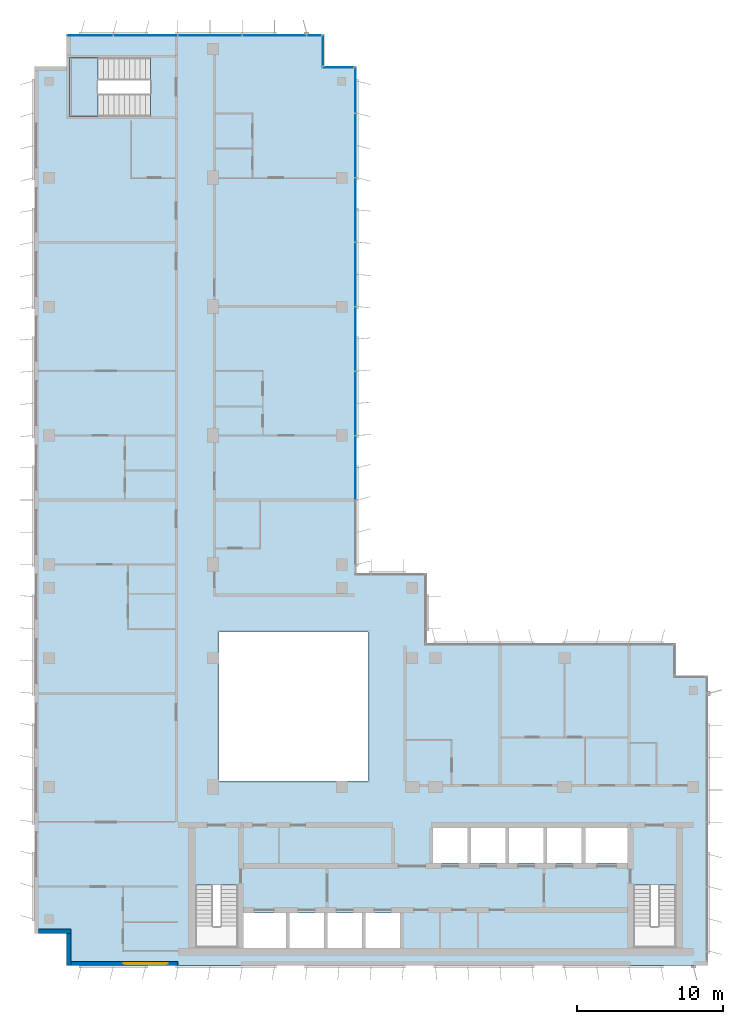
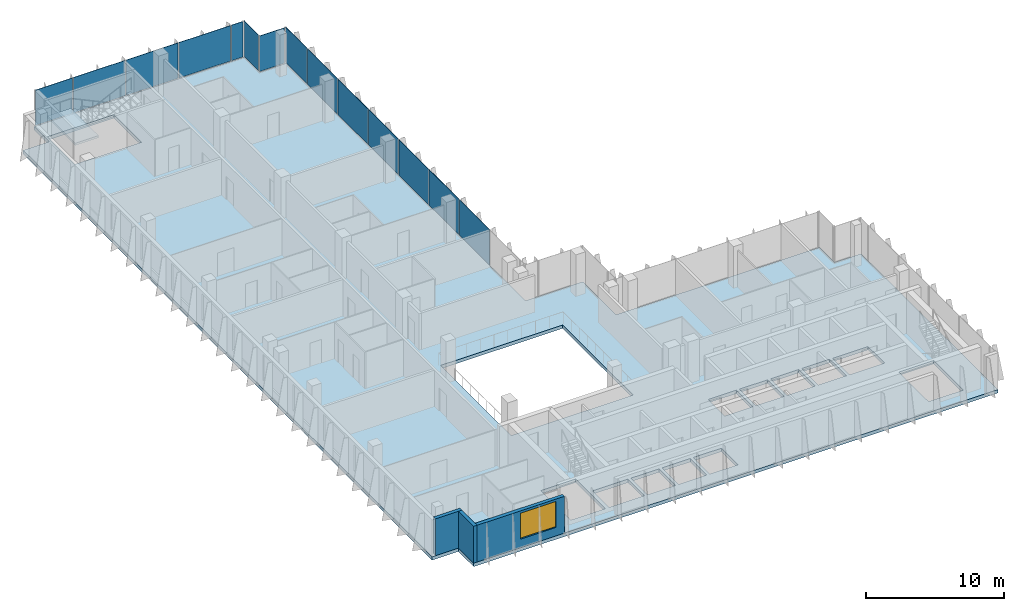
# One storey, part 8 of 15: 14 plates, 3 walls, 2 slabs, 1 window, 1 opening, 5 elements without a shape of their own.
"""IFC4 building model written with IfcOpenShell, lengths in metres."""

from ifc_helpers import new_model, si_unit, direction, frame, frame_2d, origin, origin_2d, place, context, subcontext, project, spatial, polyline, rectangle, outline, extrude, source, transform, mapped, material, layer, layer_set, type_object, element, fill, aggregate, save


model = new_model("IFC4")

# Units and contexts
model_context = context("Model", 3, precision=1e-05, world=origin(), true_north=direction((0.0, 1.0)))
body_context = subcontext(model_context, "Body", "Model", "MODEL_VIEW")
ifc_project = project(units=[si_unit("LENGTHUNIT", "METRE"), si_unit("AREAUNIT", "SQUARE_METRE"), si_unit("VOLUMEUNIT", "CUBIC_METRE"), si_unit("PLANEANGLEUNIT", "RADIAN"), si_unit("MASSUNIT", "GRAM", prefix="KILO")], contexts=[model_context])

# Site, building, storey
site_placement = place(None, origin())
site = spatial("IfcSite", under=ifc_project, at=site_placement, CompositionType="ELEMENT")
building_placement = place(site_placement, origin())
building = spatial("IfcBuilding", under=site, at=building_placement, Name="Kemantara Hotel Tower", CompositionType="ELEMENT")
storey_placement = place(building_placement, frame((0.0, 0.0, 305.5)))
storey = spatial("IfcBuildingStorey", under=building, at=storey_placement, Name="L77", CompositionType="ELEMENT", Elevation=305.5)

# Slab
ifc_material_1 = material(Name="Concrete fc 40 MPa", Category="concrete")
ifc_layer_1 = layer(ifc_material_1, 0.300048828125)
ifc_layer_set_1 = layer_set([ifc_layer_1], Name="Concrete fc 40 MPa")
slab_type_1 = type_object("IfcSlabType", Name="POST-TENSIONED FLAT PLATE 300", PredefinedType="FLOOR", material=ifc_layer_set_1)
slab_1_placement = place(storey_placement, frame((0.0, 0.0, -0.300048828125)))
element("IfcSlab", 1, at=slab_1_placement, inside=storey, type_object=slab_type_1, Name="FLOOR SLAB L77", PredefinedType="FLOOR", context=body_context, shape_type="SweptSolid", body=[
    extrude(outline(polyline([(22.0, 26.800048828125), (22.0, 61.39990234375), (19.800048828125, 61.39990234375), (19.800048828125, 63.60009765625), (2.199951171875, 63.60009765625), (2.199951171875, 61.39990234375), (0.0, 61.39990234375), (0.0, 2.199951171875), (2.199951171875, 2.199951171875), (2.199951171875, 0.0), (46.0, 0.0), (46.0, 19.800048828125), (43.800048828125, 19.800048828125), (43.800048828125, 22.0), (26.800048828125, 22.0), (26.800048828125, 26.800048828125), (22.0, 26.800048828125)]), holes=[polyline([(17.175048828125, 3.60009765625), (17.175048828125, 1.199951171875), (14.22509765625, 1.199951171875), (14.22509765625, 3.60009765625), (17.175048828125, 3.60009765625)]), polyline([(19.77490234375, 1.199951171875), (17.425048828125, 1.199951171875), (17.425048828125, 3.60009765625), (19.77490234375, 3.60009765625), (19.77490234375, 1.199951171875)]), polyline([(22.375, 1.199951171875), (20.02490234375, 1.199951171875), (20.02490234375, 3.60009765625), (22.375, 3.60009765625), (22.375, 1.199951171875)]), polyline([(24.97509765625, 3.60009765625), (24.97509765625, 1.199951171875), (22.625, 1.199951171875), (22.625, 3.60009765625), (24.97509765625, 3.60009765625)]), polyline([(11.0, 1.199951171875), (11.0, 5.49951171875), (13.89990234375, 5.49951171875), (13.89990234375, 1.199951171875), (11.0, 1.199951171875)]), polyline([(22.800048828125, 12.60009765625), (12.60009765625, 12.60009765625), (12.60009765625, 22.800048828125), (22.800048828125, 22.800048828125), (22.800048828125, 12.60009765625)]), polyline([(2.39990234375, 58.0), (2.39990234375, 62.0), (7.949462890625, 62.0), (7.949462890625, 58.0), (2.39990234375, 58.0)]), polyline([(40.89990234375, 1.199951171875), (40.89990234375, 5.49951171875), (43.800048828125, 5.49951171875), (43.800048828125, 1.199951171875), (40.89990234375, 1.199951171875)]), polyline([(29.574951171875, 7.0), (27.22509765625, 7.0), (27.22509765625, 9.39990234375), (29.574951171875, 9.39990234375), (29.574951171875, 7.0)]), polyline([(32.175048828125, 7.0), (29.824951171875, 7.0), (29.824951171875, 9.39990234375), (32.175048828125, 9.39990234375), (32.175048828125, 7.0)]), polyline([(34.77490234375, 7.0), (32.425048828125, 7.0), (32.425048828125, 9.39990234375), (34.77490234375, 9.39990234375), (34.77490234375, 7.0)]), polyline([(37.375, 7.0), (35.02490234375, 7.0), (35.02490234375, 9.39990234375), (37.375, 9.39990234375), (37.375, 7.0)]), polyline([(40.574951171875, 7.0), (37.625, 7.0), (37.625, 9.39990234375), (40.574951171875, 9.39990234375), (40.574951171875, 7.0)])]), origin(), (0.0, 0.0, 1.0), 0.300048828125),
])

# Stair, slab
stair_type = type_object("IfcStairType", Name="Stair 1550 wide 22 risers of 168 x 360 mm", PredefinedType="HALF_TURN_STAIR", material=ifc_material_1)
stair_placement = place(storey_placement, origin())
stair = element("IfcStair", 2, at=stair_placement, inside=storey, type_object=stair_type, Name="L77 Exit stair ST4", PredefinedType="HALF_TURN_STAIR")
ifc_layer_2 = layer(ifc_material_1, 0.199951171875)
ifc_layer_set_2 = layer_set([ifc_layer_2], Name="Concrete fc 40 MPa")
slab_type_2 = type_object("IfcSlabType", Name="Stair landing 200 mm", PredefinedType="LANDING", material=ifc_layer_set_2)
slab_2_placement = place(storey_placement, frame((0.0, 0.0, 1.64990234375)))
slab_2 = element("IfcSlab", 3, at=slab_2_placement, type_object=slab_type_2, Name="ST4 landing 1", PredefinedType="LANDING", context=body_context, shape_type="SweptSolid", body=[
    extrude(outline(polyline([(4.35009765625, 62.0), (2.39990234375, 62.0), (2.39990234375, 58.0), (4.35009765625, 58.0), (4.35009765625, 62.0)])), origin(), (0.0, 0.0, 1.0), 0.2001953125),
])
aggregate(stair, [slab_2])

# Curtain wall, plates
ifc_material_2 = material(Name="Low-E tinted double insulated glass 36 mm", Category="glass")
curtain_wall_type = type_object("IfcCurtainWallType", Name="TOWER CURTAIN WALL, FRONT FACES", PredefinedType="USERDEFINED", material=ifc_material_2)
curtain_wall_1_placement = place(storey_placement, origin())
curtain_wall_1 = element("IfcCurtainWall", 4, at=curtain_wall_1_placement, inside=storey, type_object=curtain_wall_type, Name="CW4 L77 T4-R02-1", ObjectType="TOWER CURTAIN WALL, FRONT FACES", PredefinedType="USERDEFINED")
ifc_layer_3 = layer(ifc_material_2, 0.035888671875)
ifc_layer_set_3 = layer_set([ifc_layer_3], Name="Low-E tinted double insulated glass 36 mm")
plate_type = type_object("IfcPlateType", Name="TOWER CURTAIN WALL, FRONT FACES PANEL", PredefinedType="CURTAIN_PANEL", material=ifc_layer_set_3)
shared_shape_1 = source(origin(), body_context, "Body", "SweptSolid", [
    extrude(rectangle(XDim=4.340087890625, YDim=0.035888671875, at=origin_2d()), origin(), (0.0, 0.0, 1.0), 3.1298828125),
])
plate_1_placement = place(storey_placement, frame((16.39990234375, 63.52490234375, 0.1201171875), z_axis=(0.0, 0.0, 1.0), x_axis=(-1.0, 0.0, 0.0)))
plate_1 = element("IfcPlate", 5, at=plate_1_placement, type_object=plate_type, Name="CW4 glass panel T4-R02-1.2", PredefinedType="CURTAIN_PANEL", context=body_context, shape_type="MappedRepresentation", body=[
    mapped(shared_shape_1, transform((0.0, 0.0, 0.0))),
])
plate_2_placement = place(storey_placement, frame((12.0, 63.52490234375, 0.1201171875), z_axis=(0.0, 0.0, 1.0), x_axis=(-1.0, 0.0, 0.0)))
plate_2 = element("IfcPlate", 6, at=plate_2_placement, type_object=plate_type, Name="CW4 glass panel T4-R02-1.3", PredefinedType="CURTAIN_PANEL", context=body_context, shape_type="MappedRepresentation", body=[
    mapped(shared_shape_1, transform((0.0, 0.0, 0.0))),
])
plate_3_placement = place(storey_placement, frame((7.60009765625, 63.52490234375, 0.1201171875), z_axis=(0.0, 0.0, 1.0), x_axis=(-1.0, 0.0, 0.0)))
plate_3 = element("IfcPlate", 7, at=plate_3_placement, type_object=plate_type, Name="CW4 glass panel T4-R02-1.4", PredefinedType="CURTAIN_PANEL", context=body_context, shape_type="MappedRepresentation", body=[
    mapped(shared_shape_1, transform((0.0, 0.0, 0.0))),
])

curtain_wall_2_placement = place(storey_placement, origin())
curtain_wall_2 = element("IfcCurtainWall", 8, at=curtain_wall_2_placement, inside=storey, type_object=curtain_wall_type, Name="CW4 L77 T4-R15-1", ObjectType="TOWER CURTAIN WALL, FRONT FACES", PredefinedType="USERDEFINED")
plate_4_placement = place(storey_placement, frame((21.925048828125, 34.0, 0.1201171875), z_axis=(0.0, 0.0, 1.0), x_axis=(0.0, 1.0, 0.0)))
plate_4 = element("IfcPlate", 9, at=plate_4_placement, type_object=plate_type, Name="CW4 glass panel T4-R15-1.3", PredefinedType="CURTAIN_PANEL", context=body_context, shape_type="MappedRepresentation", body=[
    mapped(shared_shape_1, transform((0.0, 0.0, 0.0))),
])
plate_5_placement = place(storey_placement, frame((21.925048828125, 38.39990234375, 0.1201171875), z_axis=(0.0, 0.0, 1.0), x_axis=(0.0, 1.0, 0.0)))
plate_5 = element("IfcPlate", 10, at=plate_5_placement, type_object=plate_type, Name="CW4 glass panel T4-R15-1.4", PredefinedType="CURTAIN_PANEL", context=body_context, shape_type="MappedRepresentation", body=[
    mapped(shared_shape_1, transform((0.0, 0.0, 0.0))),
])
plate_6_placement = place(storey_placement, frame((21.925048828125, 42.800048828125, 0.1201171875), z_axis=(0.0, 0.0, 1.0), x_axis=(0.0, 1.0, 0.0)))
plate_6 = element("IfcPlate", 11, at=plate_6_placement, type_object=plate_type, Name="CW4 glass panel T4-R15-1.5", PredefinedType="CURTAIN_PANEL", context=body_context, shape_type="MappedRepresentation", body=[
    mapped(shared_shape_1, transform((0.0, 0.0, 0.0))),
])
plate_7_placement = place(storey_placement, frame((21.925048828125, 47.199951171875, 0.1201171875), z_axis=(0.0, 0.0, 1.0), x_axis=(0.0, 1.0, 0.0)))
plate_7 = element("IfcPlate", 12, at=plate_7_placement, type_object=plate_type, Name="CW4 glass panel T4-R15-1.6", PredefinedType="CURTAIN_PANEL", context=body_context, shape_type="MappedRepresentation", body=[
    mapped(shared_shape_1, transform((0.0, 0.0, 0.0))),
])
plate_8_placement = place(storey_placement, frame((21.925048828125, 51.60009765625, 0.1201171875), z_axis=(0.0, 0.0, 1.0), x_axis=(0.0, 1.0, 0.0)))
plate_8 = element("IfcPlate", 13, at=plate_8_placement, type_object=plate_type, Name="CW4 glass panel T4-R15-1.7", PredefinedType="CURTAIN_PANEL", context=body_context, shape_type="MappedRepresentation", body=[
    mapped(shared_shape_1, transform((0.0, 0.0, 0.0))),
])
plate_9_placement = place(storey_placement, frame((21.925048828125, 56.0, 0.1201171875), z_axis=(0.0, 0.0, 1.0), x_axis=(0.0, 1.0, 0.0)))
plate_9 = element("IfcPlate", 14, at=plate_9_placement, type_object=plate_type, Name="CW4 glass panel T4-R15-1.8", PredefinedType="CURTAIN_PANEL", context=body_context, shape_type="MappedRepresentation", body=[
    mapped(shared_shape_1, transform((0.0, 0.0, 0.0))),
])

# Plate
shared_shape_2 = source(origin(), body_context, "Body", "SweptSolid", [
    extrude(rectangle(XDim=3.110107421875, YDim=0.035888671875, at=origin_2d()), origin(), (0.0, 0.0, 1.0), 3.1298828125),
])
plate_10_placement = place(storey_placement, frame((3.81494140625, 63.52490234375, 0.1201171875), z_axis=(0.0, 0.0, 1.0), x_axis=(-1.0, 0.0, 0.0)))
plate_10 = element("IfcPlate", 15, at=plate_10_placement, type_object=plate_type, Name="CW4 glass panel T4-R02-1.5", PredefinedType="CURTAIN_PANEL", context=body_context, shape_type="MappedRepresentation", body=[
    mapped(shared_shape_2, transform((0.0, 0.0, 0.0))),
])

plate_11_placement = place(storey_placement, frame((21.925048828125, 59.784912109375, 0.1201171875), z_axis=(0.0, 0.0, 1.0), x_axis=(0.0, 1.0, 0.0)))
plate_11 = element("IfcPlate", 16, at=plate_11_placement, type_object=plate_type, Name="CW4 glass panel T4-R15-1.9", PredefinedType="CURTAIN_PANEL", context=body_context, shape_type="MappedRepresentation", body=[
    mapped(shared_shape_2, transform((0.0, 0.0, 0.0))),
])

aggregate(curtain_wall_2, [plate_4, plate_5, plate_6, plate_7, plate_8, plate_9, plate_11])

# Curtain wall, plate
curtain_wall_3_placement = place(storey_placement, origin())
curtain_wall_3 = element("IfcCurtainWall", 17, at=curtain_wall_3_placement, inside=storey, type_object=curtain_wall_type, Name="CW4 L77 T4-R00-1", ObjectType="TOWER CURTAIN WALL, FRONT FACES", PredefinedType="USERDEFINED")
shared_shape_3 = source(origin(), body_context, "Body", "SweptSolid", [
    extrude(rectangle(XDim=2.080078125, YDim=0.035888671875, at=origin_2d()), origin(), (0.0, 0.0, 1.0), 3.1298828125),
])
plate_12_placement = place(storey_placement, frame((20.75, 61.324951171875, 0.1201171875), z_axis=(0.0, 0.0, 1.0), x_axis=(-1.0, 0.0, 0.0)))
plate_12 = element("IfcPlate", 18, at=plate_12_placement, type_object=plate_type, Name="CW4 glass panel T4-R00-1.1", PredefinedType="CURTAIN_PANEL", context=body_context, shape_type="MappedRepresentation", body=[
    mapped(shared_shape_3, transform((0.0, 0.0, 0.0))),
])
aggregate(curtain_wall_3, [plate_12])

curtain_wall_4_placement = place(storey_placement, origin())
curtain_wall_4 = element("IfcCurtainWall", 19, at=curtain_wall_4_placement, inside=storey, type_object=curtain_wall_type, Name="CW4 L77 T4-R01-1", ObjectType="TOWER CURTAIN WALL, FRONT FACES", PredefinedType="USERDEFINED")
plate_13_placement = place(storey_placement, frame((19.72509765625, 62.5, 0.1201171875), z_axis=(0.0, 0.0, 1.0), x_axis=(0.0, 1.0, 0.0)))
plate_13 = element("IfcPlate", 20, at=plate_13_placement, type_object=plate_type, Name="CW4 glass panel T4-R01-1.1", PredefinedType="CURTAIN_PANEL", context=body_context, shape_type="MappedRepresentation", body=[
    mapped(shared_shape_3, transform((0.0, 0.0, 0.0))),
])
aggregate(curtain_wall_4, [plate_13])

# Plate
shared_shape_4 = source(origin(), body_context, "Body", "SweptSolid", [
    extrude(rectangle(XDim=0.9599609375, YDim=0.035888671875, at=origin_2d()), origin(), (0.0, 0.0, 1.0), 3.1298828125),
])
plate_14_placement = place(storey_placement, frame((19.110107421875, 63.52490234375, 0.1201171875), z_axis=(0.0, 0.0, 1.0), x_axis=(-1.0, 0.0, 0.0)))
plate_14 = element("IfcPlate", 21, at=plate_14_placement, type_object=plate_type, Name="CW4 glass panel T4-R02-1.1", PredefinedType="CURTAIN_PANEL", context=body_context, shape_type="MappedRepresentation", body=[
    mapped(shared_shape_4, transform((0.0, 0.0, 0.0))),
])

aggregate(curtain_wall_1, [plate_14, plate_1, plate_2, plate_3, plate_10])

# Walls
ifc_material_3 = material(Name="Bronze anodised aluminium cladding on insulated steel stud wall", Category="steel")
ifc_layer_4 = layer(ifc_material_3, 0.300048828125)
ifc_layer_set_4 = layer_set([ifc_layer_4], Name="Bronze anodised aluminium cladding on insulated steel stud wall")
wall_type = type_object("IfcWallType", Name="BRONZE METAL-CLAD EXTERNAL WALL 300", PredefinedType="STANDARD", material=ifc_layer_set_4)
for number, where, z_axis, x_axis, name in (
    (22, (0.300048828125, 2.35009765625, 0.0), (0.0, 0.0, 1.0), (1.0, 0.0, 0.0), "EXTERNAL WALL L77 T4-R06"),
    (23, (2.35009765625, 2.199951171875, 0.0), (0.0, 0.0, 1.0), (0.0, -1.0, 0.0), "EXTERNAL WALL L77 T4-R07"),
):
    element("IfcWall", number, at=place(storey_placement, frame(where, z_axis=z_axis, x_axis=x_axis)), inside=storey, type_object=wall_type, Name=name, PredefinedType="STANDARD", context=body_context, shape_type="SweptSolid", body=[
        extrude(rectangle(XDim=2.199951171875, YDim=0.300048828125, at=frame_2d((1.10009765625, 0.0))), origin(), (0.0, 0.0, 1.0), 3.25),
    ])

# Wall, opening, window
wall_placement = place(storey_placement, frame((2.5, 0.14990234375, 0.0), z_axis=(0.0, 0.0, 1.0), x_axis=(1.0, 0.0, 0.0)))
wall = element("IfcWall", 24, at=wall_placement, inside=storey, type_object=wall_type, Name="EXTERNAL WALL L77 T4-R08", PredefinedType="STANDARD", context=body_context, shape_type="SweptSolid", body=[
    extrude(rectangle(XDim=7.300048828125, YDim=0.300048828125, at=frame_2d((3.64990234375, 0.0))), origin(), (0.0, 0.0, 1.0), 3.25),
])
opening_placement = place(wall_placement, frame((3.60009765625, 0.0, 0.75)))
opening = element("IfcOpeningElement", 25, at=opening_placement, cuts=wall, Name="Opening W1", PredefinedType="OPENING", context=body_context, shape_type="SweptSolid", body=[
    extrude(rectangle(XDim=3.0, YDim=2.300048828125, at=frame_2d((1.5, 1.14990234375))), frame((0.0, 0.159912109375, 0.0), z_axis=(0.0, -1.0, 0.0), x_axis=(1.0, 0.0, 0.0)), (0.0, 0.0, 1.0), 0.320068359375),
])
ifc_material_4 = material(Name="Low-E tinted double insulated glass in bronze anodised aluminium frame", Category="aluminium")
window_type = type_object("IfcWindowType", Name="CHICAGO WINDOW, TRIPLE PANEL 3000x2300", PartitioningType="TRIPLE_PANEL_VERTICAL", PredefinedType="WINDOW", material=ifc_material_4)
window_placement = place(opening_placement, origin())
window = element("IfcWindow", 26, at=window_placement, inside=storey, type_object=window_type, Name="CHICAGO WINDOW L77 T4-R08-54", OverallHeight=2.300048828125, OverallWidth=3.0, PartitioningType="SINGLE_PANEL", PredefinedType="WINDOW", context=body_context, shape_type="SweptSolid", body=[
    extrude(rectangle(XDim=3.0, YDim=2.300048828125, at=frame_2d((1.5, 1.14990234375))), frame((0.0, 0.030029296875, 0.0), z_axis=(0.0, -1.0, 0.0), x_axis=(1.0, 0.0, 0.0)), (0.0, 0.0, 1.0), 0.06005859375),
])
fill(opening, window)

save(model, "model.ifc")
